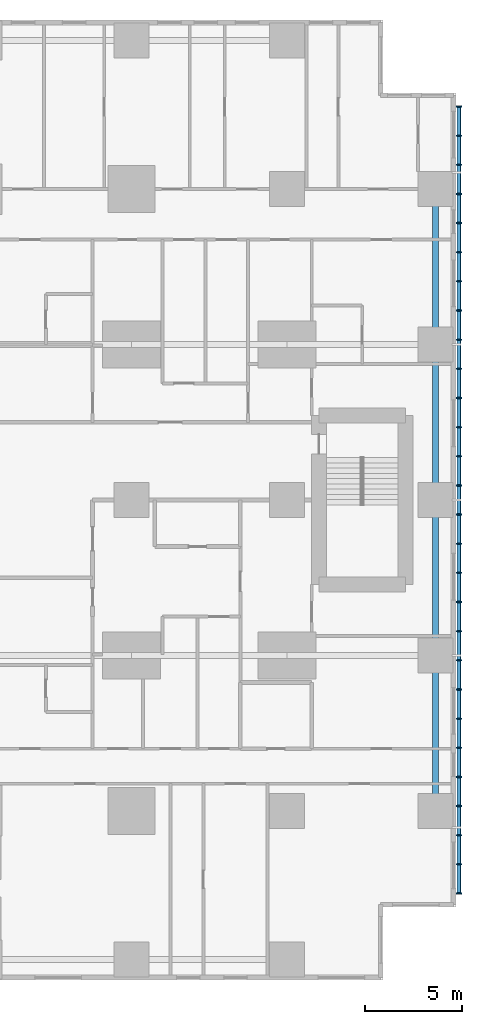
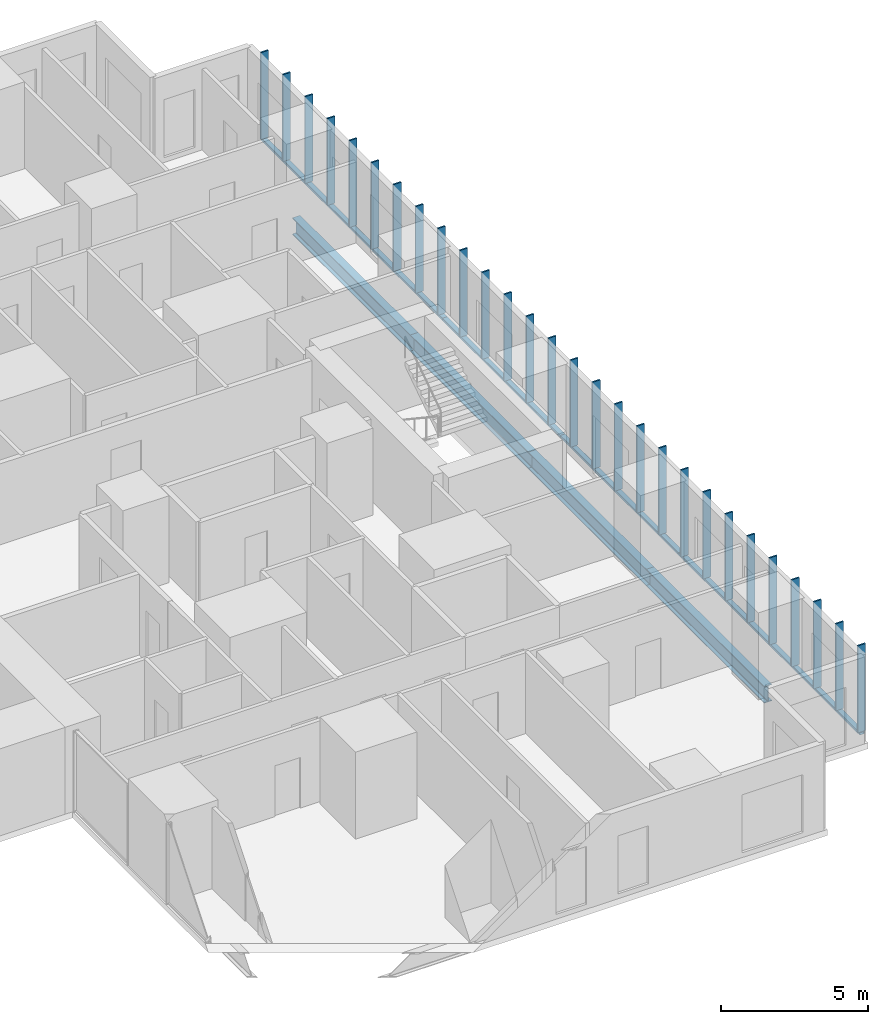
# One storey, part 6 of 20: 32 members, 4 beams.
"""IFC4 building model written with IfcOpenShell, lengths in metres."""

from ifc_helpers import new_model, si_unit, direction, frame, origin, origin_2d, place, context, subcontext, project, spatial, rectangle, hollow_rectangle, i_section, extrude, material, material_profile, profile_set, type_object, element, save


model = new_model("IFC4")

# Units and contexts
model_context = context("Model", 3, precision=1e-05, world=origin(), true_north=direction((0.0, 1.0)))
body_context = subcontext(model_context, "Body", "Model", "MODEL_VIEW")
ifc_project = project(units=[si_unit("LENGTHUNIT", "METRE"), si_unit("AREAUNIT", "SQUARE_METRE"), si_unit("VOLUMEUNIT", "CUBIC_METRE"), si_unit("PLANEANGLEUNIT", "RADIAN"), si_unit("MASSUNIT", "GRAM", prefix="KILO")], contexts=[model_context])

# Site, building, storey
site_placement = place(None, origin())
site = spatial("IfcSite", under=ifc_project, at=site_placement, CompositionType="ELEMENT")
building_placement = place(site_placement, origin())
building = spatial("IfcBuilding", under=site, at=building_placement, Name="Cleftline Residences", CompositionType="ELEMENT")
storey_placement = place(building_placement, frame((0.0, 0.0, 189.39990234375)))
storey = spatial("IfcBuildingStorey", under=building, at=storey_placement, Name="L49", CompositionType="ELEMENT", Elevation=189.39990234375)

# Members
ifc_material_1 = material(Name="Steel S355, hot-dip galvanised", Category="steel")
ifc_material_profile_1 = material_profile(ifc_material_1, hollow_rectangle(XDim=0.10009765625, YDim=0.199951171875, WallThickness=0.008056640625, InnerFilletRadius=0.008056640625, OuterFilletRadius=0.011962890625, at=origin_2d()))
ifc_profile_set_1 = profile_set([ifc_material_profile_1], Name="Steel S355, hot-dip galvanised")
member_type_1 = type_object("IfcMemberType", Name="BAGUETTE CARRIER RHS 200X100X8", PredefinedType="USERDEFINED", material=ifc_profile_set_1)
member_1_placement = place(storey_placement, frame((66.85009765625, 3.699951171875, -0.0498046875), z_axis=(0.0, 1.0, 0.0), x_axis=(0.0, 0.0, 1.0)))
element("IfcMember", 1, at=member_1_placement, inside=storey, type_object=member_type_1, Name="Baguette carrier", ObjectType="BAGUETTE CARRIER", PredefinedType="USERDEFINED", context=body_context, shape_type="SweptSolid", body=[
    extrude(hollow_rectangle(XDim=0.10009765625, YDim=0.199951171875, WallThickness=0.008056640625, InnerFilletRadius=0.008056640625, OuterFilletRadius=0.011962890625, at=origin_2d()), origin(), (0.0, 0.0, 1.0), 12.300048828125),
])
for number, where, z_axis, x_axis, name in (
    (2, (66.85009765625, 16.0, -0.0498046875), (0.0, 1.0, 0.0), (0.0, 0.0, 1.0), "Baguette carrier"),
    (3, (66.85009765625, 24.0, -0.0498046875), (0.0, 1.0, 0.0), (0.0, 0.0, 1.0), "Baguette carrier"),
):
    element("IfcMember", number, at=place(storey_placement, frame(where, z_axis=z_axis, x_axis=x_axis)), inside=storey, type_object=member_type_1, Name=name, ObjectType="BAGUETTE CARRIER", PredefinedType="USERDEFINED", context=body_context, shape_type="SweptSolid", body=[
        extrude(hollow_rectangle(XDim=0.10009765625, YDim=0.199951171875, WallThickness=0.008056640625, InnerFilletRadius=0.008056640625, OuterFilletRadius=0.011962890625, at=origin_2d()), origin(), (0.0, 0.0, 1.0), 8.0),
    ])
member_2_placement = place(storey_placement, frame((66.85009765625, 32.0, -0.0498046875), z_axis=(0.0, 1.0, 0.0), x_axis=(0.0, 0.0, 1.0)))
element("IfcMember", 4, at=member_2_placement, inside=storey, type_object=member_type_1, Name="Baguette carrier", ObjectType="BAGUETTE CARRIER", PredefinedType="USERDEFINED", context=body_context, shape_type="SweptSolid", body=[
    extrude(hollow_rectangle(XDim=0.10009765625, YDim=0.199951171875, WallThickness=0.008056640625, InnerFilletRadius=0.008056640625, OuterFilletRadius=0.011962890625, at=origin_2d()), origin(), (0.0, 0.0, 1.0), 12.300048828125),
])

# Beams
ifc_material_2 = material(Name="Steel S355", Category="steel")
ifc_material_profile_2 = material_profile(ifc_material_2, i_section(OverallWidth=0.300048828125, OverallDepth=0.699951171875, WebThickness=0.01708984375, FlangeThickness=0.031982421875, FilletRadius=0.027099609375, at=origin_2d()))
ifc_profile_set_2 = profile_set([ifc_material_profile_2], Name="Steel S355")
beam_type = type_object("IfcBeamType", Name="BEAM HEB 700", PredefinedType="BEAM", material=ifc_profile_set_2)
for number, where, z_axis, x_axis, name in (
    (5, (65.64990234375, 8.0, -0.599853515625), (0.0, 1.0, 0.0), (-1.0, 0.0, 0.0), "Edge beam"),
    (6, (65.64990234375, 16.0, -0.599853515625), (0.0, 1.0, 0.0), (-1.0, 0.0, 0.0), "Edge beam"),
    (7, (65.64990234375, 24.0, -0.599853515625), (0.0, 1.0, 0.0), (-1.0, 0.0, 0.0), "Edge beam"),
    (8, (65.64990234375, 32.0, -0.599853515625), (0.0, 1.0, 0.0), (-1.0, 0.0, 0.0), "Edge beam"),
):
    element("IfcBeam", number, at=place(storey_placement, frame(where, z_axis=z_axis, x_axis=x_axis)), inside=storey, type_object=beam_type, Name=name, PredefinedType="BEAM", context=body_context, shape_type="SweptSolid", body=[
        extrude(i_section(OverallWidth=0.300048828125, OverallDepth=0.699951171875, WebThickness=0.01708984375, FlangeThickness=0.031982421875, FilletRadius=0.027099609375, at=origin_2d()), origin(), (0.0, 0.0, 1.0), 8.0),
    ])

# Members
ifc_material_3 = material(Name="Extruded terracotta", Category="masonry")
ifc_material_profile_3 = material_profile(ifc_material_3, rectangle(XDim=0.06005859375, YDim=0.300048828125, at=origin_2d()))
ifc_profile_set_3 = profile_set([ifc_material_profile_3], Name="Extruded terracotta")
member_type_2 = type_object("IfcMemberType", Name="TERRACOTTA BAGUETTE 60X300", PredefinedType="USERDEFINED", material=ifc_profile_set_3)
for number, where, z_axis, x_axis, name in (
    (9, (66.85009765625, 3.75, 0.0), (0.0, 0.0, 1.0), (0.0, 1.0, 0.0), "Terracotta baguette"),
    (10, (66.85009765625, 5.25, 0.0), (0.0, 0.0, 1.0), (0.0, 1.0, 0.0), "Terracotta baguette"),
    (11, (66.85009765625, 6.75, 0.0), (0.0, 0.0, 1.0), (0.0, 1.0, 0.0), "Terracotta baguette"),
    (12, (66.85009765625, 8.25, 0.0), (0.0, 0.0, 1.0), (0.0, 1.0, 0.0), "Terracotta baguette"),
    (13, (66.85009765625, 9.75, 0.0), (0.0, 0.0, 1.0), (0.0, 1.0, 0.0), "Terracotta baguette"),
    (14, (66.85009765625, 11.25, 0.0), (0.0, 0.0, 1.0), (0.0, 1.0, 0.0), "Terracotta baguette"),
    (15, (66.85009765625, 12.75, 0.0), (0.0, 0.0, 1.0), (0.0, 1.0, 0.0), "Terracotta baguette"),
    (16, (66.85009765625, 14.25, 0.0), (0.0, 0.0, 1.0), (0.0, 1.0, 0.0), "Terracotta baguette"),
    (17, (66.85009765625, 15.75, 0.0), (0.0, 0.0, 1.0), (0.0, 1.0, 0.0), "Terracotta baguette"),
    (18, (66.85009765625, 17.25, 0.0), (0.0, 0.0, 1.0), (0.0, 1.0, 0.0), "Terracotta baguette"),
    (19, (66.85009765625, 18.75, 0.0), (0.0, 0.0, 1.0), (0.0, 1.0, 0.0), "Terracotta baguette"),
    (20, (66.85009765625, 20.25, 0.0), (0.0, 0.0, 1.0), (0.0, 1.0, 0.0), "Terracotta baguette"),
    (21, (66.85009765625, 21.75, 0.0), (0.0, 0.0, 1.0), (0.0, 1.0, 0.0), "Terracotta baguette"),
    (22, (66.85009765625, 23.25, 0.0), (0.0, 0.0, 1.0), (0.0, 1.0, 0.0), "Terracotta baguette"),
    (23, (66.85009765625, 24.75, 0.0), (0.0, 0.0, 1.0), (0.0, 1.0, 0.0), "Terracotta baguette"),
    (24, (66.85009765625, 26.25, 0.0), (0.0, 0.0, 1.0), (0.0, 1.0, 0.0), "Terracotta baguette"),
    (25, (66.85009765625, 27.75, 0.0), (0.0, 0.0, 1.0), (0.0, 1.0, 0.0), "Terracotta baguette"),
    (26, (66.85009765625, 29.25, 0.0), (0.0, 0.0, 1.0), (0.0, 1.0, 0.0), "Terracotta baguette"),
    (27, (66.85009765625, 30.75, 0.0), (0.0, 0.0, 1.0), (0.0, 1.0, 0.0), "Terracotta baguette"),
    (28, (66.85009765625, 32.25, 0.0), (0.0, 0.0, 1.0), (0.0, 1.0, 0.0), "Terracotta baguette"),
    (29, (66.85009765625, 33.75, 0.0), (0.0, 0.0, 1.0), (0.0, 1.0, 0.0), "Terracotta baguette"),
    (30, (66.85009765625, 35.25, 0.0), (0.0, 0.0, 1.0), (0.0, 1.0, 0.0), "Terracotta baguette"),
    (31, (66.85009765625, 36.75, 0.0), (0.0, 0.0, 1.0), (0.0, 1.0, 0.0), "Terracotta baguette"),
    (32, (66.85009765625, 38.25, 0.0), (0.0, 0.0, 1.0), (0.0, 1.0, 0.0), "Terracotta baguette"),
    (33, (66.85009765625, 39.75, 0.0), (0.0, 0.0, 1.0), (0.0, 1.0, 0.0), "Terracotta baguette"),
    (34, (66.85009765625, 41.25, 0.0), (0.0, 0.0, 1.0), (0.0, 1.0, 0.0), "Terracotta baguette"),
    (35, (66.85009765625, 42.75, 0.0), (0.0, 0.0, 1.0), (0.0, 1.0, 0.0), "Terracotta baguette"),
    (36, (66.85009765625, 44.25, 0.0), (0.0, 0.0, 1.0), (0.0, 1.0, 0.0), "Terracotta baguette"),
):
    element("IfcMember", number, at=place(storey_placement, frame(where, z_axis=z_axis, x_axis=x_axis)), inside=storey, type_object=member_type_2, Name=name, ObjectType="BAGUETTE", PredefinedType="USERDEFINED", context=body_context, shape_type="SweptSolid", body=[
        extrude(rectangle(XDim=0.06005859375, YDim=0.300048828125, at=origin_2d()), origin(), (0.0, 0.0, 1.0), 3.60009765625),
    ])

save(model, "model.ifc")
